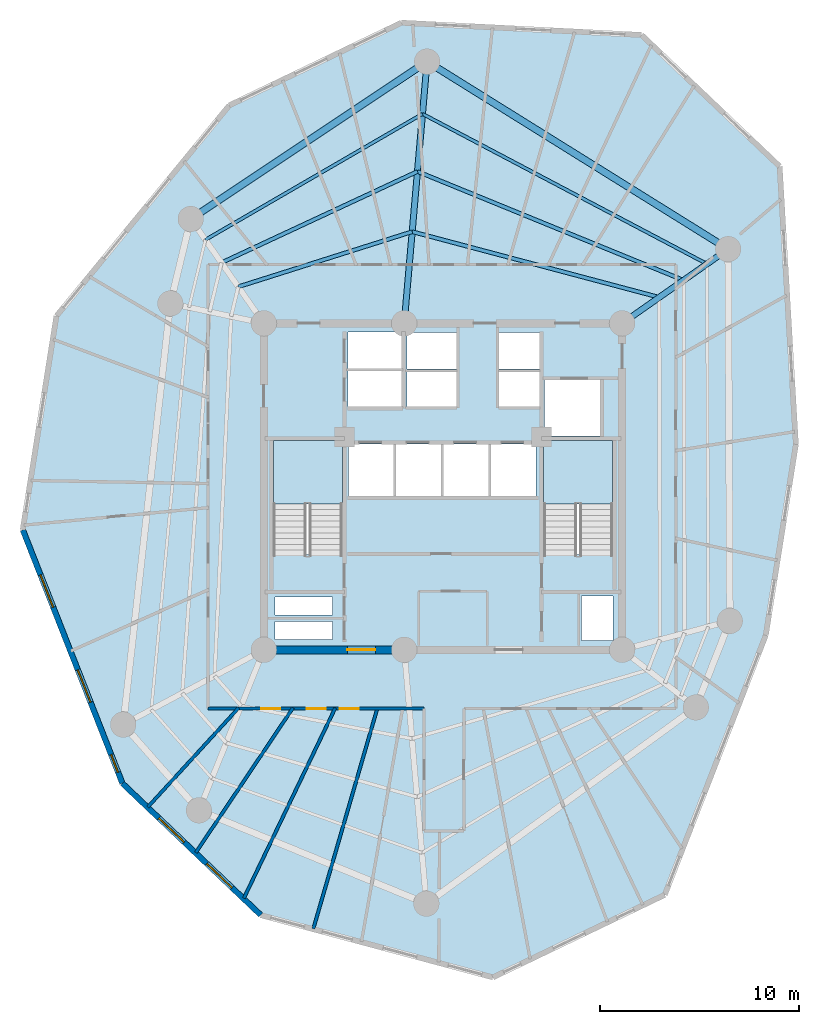
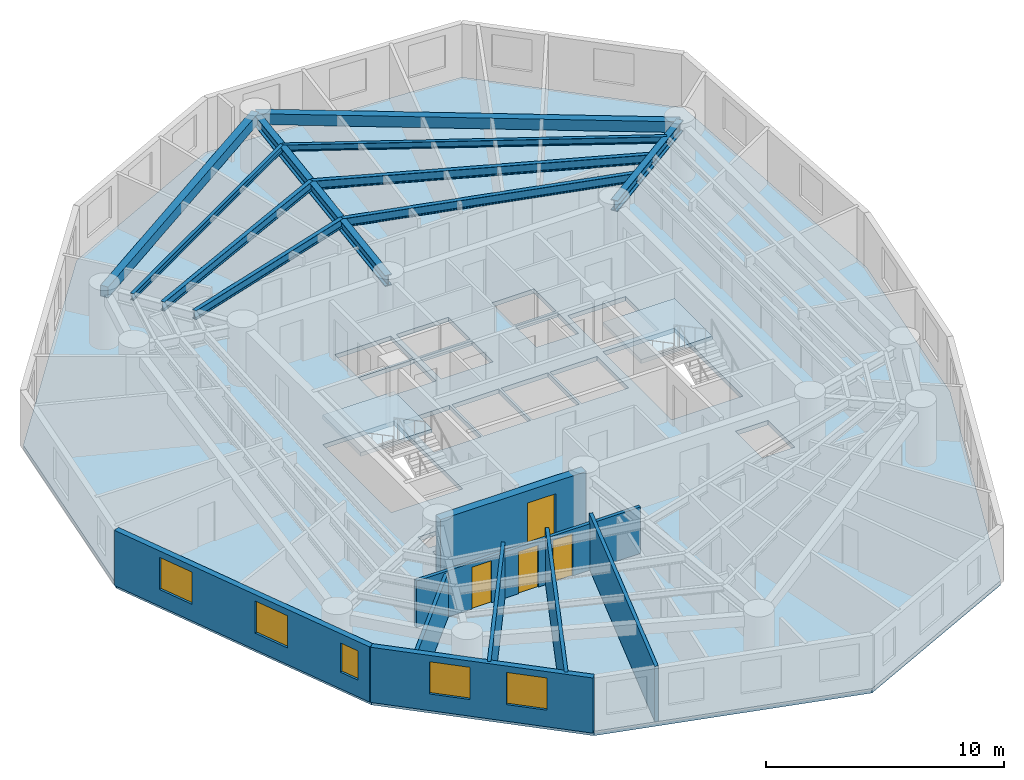
# One storey, part 2 of 8: 10 beams, 8 walls, 5 windows, 4 doors, 3 slabs, 9 openings, 2 elements without a shape of their own.
"""IFC4 building model written with IfcOpenShell, lengths in metres."""

from ifc_helpers import new_model, si_unit, direction, frame, frame_2d, origin, origin_with_axes, origin_2d, place, context, subcontext, project, spatial, polyline, rectangle, i_section, outline, extrude, source, transform, mapped, material, layer, layer_set, material_profile, profile_set, type_object, element, fill, aggregate, save


model = new_model("IFC4")

# Units and contexts
model_context = context("Model", 3, precision=1e-05, world=origin(), true_north=direction((0.0, 1.0)))
body_context = subcontext(model_context, "Body", "Model", "MODEL_VIEW")
ifc_project = project(units=[si_unit("LENGTHUNIT", "METRE"), si_unit("AREAUNIT", "SQUARE_METRE"), si_unit("VOLUMEUNIT", "CUBIC_METRE"), si_unit("PLANEANGLEUNIT", "RADIAN"), si_unit("MASSUNIT", "GRAM", prefix="KILO")], contexts=[model_context])

# Site, building, storey
site_placement = place(None, origin())
site = spatial("IfcSite", under=ifc_project, at=site_placement, CompositionType="ELEMENT")
building_placement = place(site_placement, origin())
building = spatial("IfcBuilding", under=site, at=building_placement, Name="Karkom Vertical University and Central Library", CompositionType="ELEMENT")
storey_placement = place(building_placement, frame((0.0, 0.0, 165.699951171875)))
storey = spatial("IfcBuildingStorey", under=building, at=storey_placement, Name="L47", CompositionType="ELEMENT", Elevation=165.699951171875)

# Beams
ifc_material_1 = material(Name="Precast concrete C45/55", Category="concrete")
ifc_material_profile_1 = material_profile(ifc_material_1, rectangle(XDim=0.35009765625, YDim=0.550048828125, at=origin_2d()), Name="SPB-350x550")
ifc_profile_set_1 = profile_set([ifc_material_profile_1], Name="Precast concrete C45/55")
beam_type_1 = type_object("IfcBeamType", Name="STR-BM-SP-2", PredefinedType="SPANDREL", material=ifc_profile_set_1)
shared_shape_1 = source(origin_with_axes(), body_context, "Body", "SweptSolid", [
    extrude(rectangle(XDim=0.35009765625, YDim=0.550048828125, at=origin_2d()), origin(), (0.0, 0.0, 1.0), 17.81884765625),
])
beam_1_placement = place(storey_placement, frame((42.823974609375, 38.427978515625, 2.550048828125), z_axis=(-0.848764070164, 0.528771740167, 0.0), x_axis=(-0.528771740167, -0.848764070164, 0.0)))
element("IfcBeam", 1, at=beam_1_placement, inside=storey, type_object=beam_type_1, Name="Level 47 Perimeter Spandrel Beam 02", PredefinedType="SPANDREL", context=body_context, shape_type="MappedRepresentation", body=[
    mapped(shared_shape_1, transform((0.0, 0.0, 0.0), scale=1.0)),
])
shared_shape_2 = source(origin_with_axes(), body_context, "Body", "SweptSolid", [
    extrude(rectangle(XDim=0.35009765625, YDim=0.550048828125, at=origin_2d()), origin(), (0.0, 0.0, 1.0), 14.26318359375),
])
beam_2_placement = place(storey_placement, frame((27.699951171875, 47.85009765625, 2.550048828125), z_axis=(-0.83227406272, -0.554364396876, 0.0), x_axis=(0.554364396876, -0.83227406272, 0.0)))
element("IfcBeam", 2, at=beam_2_placement, inside=storey, type_object=beam_type_1, Name="Level 47 Perimeter Spandrel Beam 03", PredefinedType="SPANDREL", context=body_context, shape_type="MappedRepresentation", body=[
    mapped(shared_shape_2, transform((0.0, 0.0, 0.0), scale=1.0)),
])
ifc_material_2 = material(Name="Steel S355", Category="steel")
ifc_material_profile_2 = material_profile(ifc_material_2, i_section(OverallWidth=0.18994140625, OverallDepth=0.449951171875, WebThickness=0.009521484375, FlangeThickness=0.0146484375, FilletRadius=0.02099609375, at=origin_2d()), Name="IPE 450")
ifc_profile_set_2 = profile_set([ifc_material_profile_2], Name="Steel S355")
beam_type_2 = type_object("IfcBeamType", Name="STR-BM-SB-IPE450", PredefinedType="BEAM", material=ifc_profile_set_2)
shared_shape_3 = source(origin_with_axes(), body_context, "Body", "SweptSolid", [
    extrude(i_section(OverallWidth=0.18994140625, OverallDepth=0.449951171875, WebThickness=0.009521484375, FlangeThickness=0.0146484375, FilletRadius=0.02099609375, at=origin_2d()), origin(), (0.0, 0.0, 1.0), 12.841552734375),
])
beam_3_placement = place(storey_placement, frame((39.36328125, 36.0048828125, 2.60009765625), z_axis=(-0.96646647674, 0.256792814032, 0.0), x_axis=(-0.256792814032, -0.96646647674, 0.0)))
element("IfcBeam", 3, at=beam_3_placement, inside=storey, type_object=beam_type_2, Name="Level 47 Secondary Composite Floor Beam 1.02", PredefinedType="BEAM", context=body_context, shape_type="MappedRepresentation", body=[
    mapped(shared_shape_3, transform((0.0, 0.0, 0.0), scale=1.0)),
])
shared_shape_4 = source(origin_with_axes(), body_context, "Body", "SweptSolid", [
    extrude(i_section(OverallWidth=0.18994140625, OverallDepth=0.449951171875, WebThickness=0.009521484375, FlangeThickness=0.0146484375, FilletRadius=0.02099609375, at=origin_2d()), origin(), (0.0, 0.0, 1.0), 9.1650390625),
])
beam_4_placement = place(storey_placement, frame((26.952392578125, 39.302490234375, 2.60009765625), z_axis=(-0.953318200449, -0.301967562319, 0.0), x_axis=(0.301967562319, -0.953318200449, 0.0)))
element("IfcBeam", 4, at=beam_4_placement, inside=storey, type_object=beam_type_2, Name="Level 47 Secondary Composite Floor Beam 1.03", PredefinedType="BEAM", context=body_context, shape_type="MappedRepresentation", body=[
    mapped(shared_shape_4, transform((0.0, 0.0, 0.0), scale=1.0)),
])
shared_shape_5 = source(origin_with_axes(), body_context, "Body", "SweptSolid", [
    extrude(i_section(OverallWidth=0.18994140625, OverallDepth=0.449951171875, WebThickness=0.009521484375, FlangeThickness=0.0146484375, FilletRadius=0.02099609375, at=origin_2d()), origin(), (0.0, 0.0, 1.0), 14.4443359375),
])
beam_5_placement = place(storey_placement, frame((40.587890625, 36.8623046875, 2.60009765625), z_axis=(-0.925675328736, 0.378318894281, 0.0), x_axis=(-0.378318894281, -0.925675328736, 0.0)))
element("IfcBeam", 5, at=beam_5_placement, inside=storey, type_object=beam_type_2, Name="Level 47 Secondary Composite Floor Beam 2.02", PredefinedType="BEAM", context=body_context, shape_type="MappedRepresentation", body=[
    mapped(shared_shape_5, transform((0.0, 0.0, 0.0), scale=1.0)),
])
shared_shape_6 = source(origin_with_axes(), body_context, "Body", "SweptSolid", [
    extrude(i_section(OverallWidth=0.18994140625, OverallDepth=0.449951171875, WebThickness=0.009521484375, FlangeThickness=0.0146484375, FilletRadius=0.02099609375, at=origin_2d()), origin(), (0.0, 0.0, 1.0), 10.86181640625),
])
beam_6_placement = place(storey_placement, frame((27.217041015625, 42.326904296875, 2.60009765625), z_axis=(-0.90649871419, -0.422208575436, 0.0), x_axis=(0.422208575436, -0.90649871419, 0.0)))
element("IfcBeam", 6, at=beam_6_placement, inside=storey, type_object=beam_type_2, Name="Level 47 Secondary Composite Floor Beam 2.03", PredefinedType="BEAM", context=body_context, shape_type="MappedRepresentation", body=[
    mapped(shared_shape_6, transform((0.0, 0.0, 0.0), scale=1.0)),
])
ifc_material_profile_3 = material_profile(ifc_material_2, i_section(OverallWidth=0.159912109375, OverallDepth=0.330078125, WebThickness=0.007568359375, FlangeThickness=0.011474609375, FilletRadius=0.01806640625, at=origin_2d()), Name="IPE 330")
ifc_profile_set_3 = profile_set([ifc_material_profile_3], Name="Steel S355")
beam_type_3 = type_object("IfcBeamType", Name="STR-BM-SB-IPE330", PredefinedType="BEAM", material=ifc_profile_set_3)
shared_shape_7 = source(origin_with_axes(), body_context, "Body", "SweptSolid", [
    extrude(i_section(OverallWidth=0.159912109375, OverallDepth=0.330078125, WebThickness=0.007568359375, FlangeThickness=0.011474609375, FilletRadius=0.01806640625, at=origin_2d()), origin(), (0.0, 0.0, 1.0), 16.155517578125),
])
beam_7_placement = place(storey_placement, frame((41.75927734375, 37.682373046875, 2.66015625), z_axis=(-0.884486447848, 0.466565883423, 0.0), x_axis=(-0.466565883423, -0.884486447848, 0.0)))
element("IfcBeam", 7, at=beam_7_placement, inside=storey, type_object=beam_type_3, Name="Level 47 Secondary Composite Floor Beam 3.02", PredefinedType="BEAM", context=body_context, shape_type="MappedRepresentation", body=[
    mapped(shared_shape_7, transform((0.0, 0.0, 0.0), scale=1.0)),
])
shared_shape_8 = source(origin_with_axes(), body_context, "Body", "SweptSolid", [
    extrude(i_section(OverallWidth=0.159912109375, OverallDepth=0.330078125, WebThickness=0.007568359375, FlangeThickness=0.011474609375, FilletRadius=0.01806640625, at=origin_2d()), origin(), (0.0, 0.0, 1.0), 12.6083984375),
])
beam_8_placement = place(storey_placement, frame((27.469970703125, 45.219970703125, 2.66015625), z_axis=(-0.865038920595, -0.50170475965, 0.0), x_axis=(0.50170475965, -0.865038920595, 0.0)))
element("IfcBeam", 8, at=beam_8_placement, inside=storey, type_object=beam_type_3, Name="Level 47 Secondary Composite Floor Beam 3.03", PredefinedType="BEAM", context=body_context, shape_type="MappedRepresentation", body=[
    mapped(shared_shape_8, transform((0.0, 0.0, 0.0), scale=1.0)),
])
ifc_material_profile_4 = material_profile(ifc_material_2, i_section(OverallWidth=0.300048828125, OverallDepth=0.550048828125, WebThickness=0.014892578125, FlangeThickness=0.029052734375, FilletRadius=0.027099609375, at=origin_2d()), Name="HE 550 B")
ifc_profile_set_4 = profile_set([ifc_material_profile_4], Name="Steel S355")
beam_type_4 = type_object("IfcBeamType", Name="STR-BM-SB-HE550", PredefinedType="USERDEFINED", material=ifc_profile_set_4)
shared_shape_9 = source(origin_with_axes(), body_context, "Body", "SweptSolid", [
    extrude(i_section(OverallWidth=0.300048828125, OverallDepth=0.550048828125, WebThickness=0.014892578125, FlangeThickness=0.029052734375, FilletRadius=0.027099609375, at=origin_2d()), origin(), (0.0, 0.0, 1.0), 6.49951171875),
])
beam_9_placement = place(storey_placement, frame((37.5, 34.699951171875, 2.550048828125), z_axis=(0.819141909878, 0.573590909517, 0.0), x_axis=(-0.573590909517, 0.819141909878, 0.0)))
element("IfcBeam", 9, at=beam_9_placement, inside=storey, type_object=beam_type_4, Name="Level 47 Radial Frame Girder 02", ObjectType="GIRDER", PredefinedType="USERDEFINED", context=body_context, shape_type="MappedRepresentation", body=[
    mapped(shared_shape_9, transform((0.0, 0.0, 0.0), scale=1.0)),
])
shared_shape_10 = source(origin_with_axes(), body_context, "Body", "SweptSolid", [
    extrude(i_section(OverallWidth=0.300048828125, OverallDepth=0.550048828125, WebThickness=0.014892578125, FlangeThickness=0.029052734375, FilletRadius=0.027099609375, at=origin_2d()), origin(), (0.0, 0.0, 1.0), 13.200439453125),
])
beam_10_placement = place(storey_placement, frame((26.550048828125, 34.699951171875, 2.550048828125), z_axis=(0.087111657164, 0.996198554098, 0.0), x_axis=(-0.996198554098, 0.087111657164, 0.0)))
element("IfcBeam", 10, at=beam_10_placement, inside=storey, type_object=beam_type_4, Name="Level 47 Radial Frame Girder 03", ObjectType="GIRDER", PredefinedType="USERDEFINED", context=body_context, shape_type="MappedRepresentation", body=[
    mapped(shared_shape_10, transform((0.0, 0.0, 0.0), scale=1.0)),
])

# Stair, slab
ifc_material_3 = material(Name="Concrete C45/55", Category="concrete")
stair_type = type_object("IfcStairType", Name="INT-STR-ST-MAIN", PredefinedType="HALF_TURN_STAIR", material=ifc_material_3)
stair_1_placement = place(storey_placement, origin())
stair_1 = element("IfcStair", 11, at=stair_1_placement, inside=storey, type_object=stair_type, Name="Level 47 Tower Protected Exit Stair ST-1", PredefinedType="HALF_TURN_STAIR")
ifc_layer_1 = layer(ifc_material_3, 0.199951171875)
ifc_layer_set_1 = layer_set([ifc_layer_1], Name="Concrete C45/55")
slab_type_1 = type_object("IfcSlabType", Name="INT-SLB-LANDING", PredefinedType="LANDING", material=ifc_layer_set_1)
slab_1_placement = place(storey_placement, frame((0.0, 0.0, 1.324951171875)))
slab_1 = element("IfcSlab", 12, at=slab_1_placement, type_object=slab_type_1, Name="ST-1 landing 1", PredefinedType="LANDING", context=body_context, shape_type="SweptSolid", body=[
    extrude(outline(polyline([(23.43994140625, 25.6298828125), (23.43994140625, 28.820068359375), (19.97998046875, 28.820068359375), (19.97998046875, 25.6298828125), (23.43994140625, 25.6298828125)])), origin(), (0.0, 0.0, 1.0), 0.2001953125),
])
aggregate(stair_1, [slab_1])

stair_2_placement = place(storey_placement, origin())
stair_2 = element("IfcStair", 13, at=stair_2_placement, inside=storey, type_object=stair_type, Name="Level 47 Tower Protected Exit Stair ST-2", PredefinedType="HALF_TURN_STAIR")
slab_2_placement = place(storey_placement, frame((0.0, 0.0, 1.324951171875)))
slab_2 = element("IfcSlab", 14, at=slab_2_placement, type_object=slab_type_1, Name="ST-2 landing 1", PredefinedType="LANDING", context=body_context, shape_type="SweptSolid", body=[
    extrude(outline(polyline([(37.02001953125, 25.6298828125), (37.02001953125, 28.820068359375), (33.56005859375, 28.820068359375), (33.56005859375, 25.6298828125), (37.02001953125, 25.6298828125)])), origin(), (0.0, 0.0, 1.0), 0.2001953125),
])
aggregate(stair_2, [slab_2])

# Slab
ifc_layer_2 = layer(ifc_material_3, 0.22509765625)
ifc_layer_set_2 = layer_set([ifc_layer_2], Name="Concrete C45/55")
slab_type_2 = type_object("IfcSlabType", Name="STR-SLB-FLR-225", PredefinedType="FLOOR", material=ifc_layer_set_2)
slab_3_placement = place(storey_placement, frame((0.0, 0.0, -0.224853515625)))
element("IfcSlab", 15, at=slab_3_placement, inside=storey, type_object=slab_type_2, Name="Level 47 Tower Structural Floor Slab", PredefinedType="FLOOR", context=body_context, shape_type="SweptSolid", body=[
    extrude(outline(polyline([(9.08447265625, 35.0654296875), (7.390625, 24.323974609375), (12.39501953125, 11.588623046875), (19.343505859375, 4.976806640625), (31.009521484375, 1.85009765625), (39.636962890625, 5.994140625), (44.7099609375, 19.02978515625), (46.22216796875, 28.6201171875), (45.406005859375, 42.58447265625), (38.472412109375, 49.181884765625), (26.41015625, 49.79638671875), (17.764404296875, 45.643310546875), (9.08447265625, 35.0654296875)]), holes=[polyline([(19.97998046875, 23.0849609375), (23.43994140625, 23.0849609375), (23.43994140625, 28.820068359375), (19.97998046875, 28.820068359375), (19.97998046875, 23.0849609375)]), polyline([(33.56005859375, 23.0849609375), (37.02001953125, 23.0849609375), (37.02001953125, 28.820068359375), (33.56005859375, 28.820068359375), (33.56005859375, 23.0849609375)]), polyline([(23.75, 26.0), (26.030029296875, 26.0), (26.030029296875, 28.64990234375), (23.75, 28.64990234375), (23.75, 26.0)]), polyline([(26.1298828125, 26.0), (28.409912109375, 26.0), (28.409912109375, 28.64990234375), (26.1298828125, 28.64990234375), (26.1298828125, 26.0)]), polyline([(28.510009765625, 26.0), (30.7900390625, 26.0), (30.7900390625, 28.64990234375), (28.510009765625, 28.64990234375), (28.510009765625, 26.0)]), polyline([(30.889892578125, 26.0), (33.169921875, 26.0), (33.169921875, 28.64990234375), (30.889892578125, 28.64990234375), (30.889892578125, 26.0)]), polyline([(26.679931640625, 30.5), (29.199951171875, 30.5), (29.199951171875, 32.25), (26.679931640625, 32.25), (26.679931640625, 30.5)]), polyline([(26.679931640625, 32.39990234375), (29.199951171875, 32.39990234375), (29.199951171875, 34.25), (26.679931640625, 34.25), (26.679931640625, 32.39990234375)]), polyline([(31.300048828125, 30.5), (33.35009765625, 30.5), (33.35009765625, 32.25), (31.300048828125, 32.25), (31.300048828125, 30.5)]), polyline([(31.300048828125, 32.39990234375), (33.35009765625, 32.39990234375), (33.35009765625, 34.25), (31.300048828125, 34.25), (31.300048828125, 32.39990234375)]), polyline([(23.719970703125, 30.47998046875), (26.429931640625, 30.47998046875), (26.429931640625, 32.320068359375), (23.719970703125, 32.320068359375), (23.719970703125, 30.47998046875)]), polyline([(23.719970703125, 32.419921875), (26.429931640625, 32.419921875), (26.429931640625, 34.260009765625), (23.719970703125, 34.260009765625), (23.719970703125, 32.419921875)]), polyline([(33.60009765625, 29.050048828125), (36.39990234375, 29.050048828125), (36.39990234375, 31.85009765625), (33.60009765625, 31.85009765625), (33.60009765625, 29.050048828125)]), polyline([(20.050048828125, 18.820068359375), (22.949951171875, 18.820068359375), (22.949951171875, 19.719970703125), (20.050048828125, 19.719970703125), (20.050048828125, 18.820068359375)]), polyline([(20.050048828125, 20.06005859375), (22.949951171875, 20.06005859375), (22.949951171875, 20.9599609375), (20.050048828125, 20.9599609375), (20.050048828125, 20.06005859375)]), polyline([(35.4599609375, 18.760009765625), (37.0400390625, 18.760009765625), (37.0400390625, 21.010009765625), (35.4599609375, 21.010009765625), (35.4599609375, 18.760009765625)])]), origin(), (0.0, 0.0, 1.0), 0.224853515625),
])

# Wall, openings, windows
ifc_material_4 = material(Name="Brick-faced precast concrete C45/55", Category="masonry")
ifc_layer_3 = layer(ifc_material_4, 0.280029296875)
ifc_layer_set_3 = layer_set([ifc_layer_3], Name="Brick-faced precast concrete C45/55")
wall_type_1 = type_object("IfcWallType", Name="ENV-WL-BRK-280", PredefinedType="SOLIDWALL", material=ifc_layer_set_3)
wall_1_placement = place(storey_placement, frame((7.390625, 24.323974609375, 0.0), z_axis=(0.0, 0.0, 1.0), x_axis=(0.365729654554, -0.930721128899, 0.0)))
wall_1 = element("IfcWall", 16, at=wall_1_placement, inside=storey, type_object=wall_type_1, Name="Level 47 Brick-Faced Precast Facade Wall 02", PredefinedType="SOLIDWALL", context=body_context, shape_type="SweptSolid", body=[
    extrude(rectangle(XDim=13.683349609375, YDim=0.280029296875, at=frame_2d((6.841796875, 0.0))), origin(), (0.0, 0.0, 1.0), 2.824951171875),
])
opening_1_placement = place(wall_1_placement, frame((2.426513671875, 0.0, 0.85009765625)))
opening_1 = element("IfcOpeningElement", 17, at=opening_1_placement, cuts=wall_1, Name="Opening WN-08", PredefinedType="OPENING", context=body_context, shape_type="SweptSolid", body=[
    extrude(rectangle(XDim=1.75, YDim=1.64990234375, at=frame_2d((0.875, 0.824951171875))), frame((0.0, 0.14990234375, 0.0), z_axis=(0.0, -1.0, 0.0), x_axis=(1.0, 0.0, 0.0)), (0.0, 0.0, 1.0), 0.300048828125),
])
opening_2_placement = place(wall_1_placement, frame((7.55029296875, 0.0, 0.85009765625)))
opening_2 = element("IfcOpeningElement", 18, at=opening_2_placement, cuts=wall_1, Name="Opening WN-08", PredefinedType="OPENING", context=body_context, shape_type="SweptSolid", body=[
    extrude(rectangle(XDim=1.75, YDim=1.64990234375, at=frame_2d((0.875, 0.824951171875))), frame((0.0, 0.14990234375, 0.0), z_axis=(0.0, -1.0, 0.0), x_axis=(1.0, 0.0, 0.0)), (0.0, 0.0, 1.0), 0.300048828125),
])
opening_3_placement = place(wall_1_placement, frame((12.13037109375, 0.0, 0.85009765625)))
opening_3 = element("IfcOpeningElement", 19, at=opening_3_placement, cuts=wall_1, Name="Opening WN-12", PredefinedType="OPENING", context=body_context, shape_type="SweptSolid", body=[
    extrude(rectangle(XDim=0.949951171875, YDim=1.5, at=frame_2d((0.47509765625, 0.75))), frame((0.0, 0.14990234375, 0.0), z_axis=(0.0, -1.0, 0.0), x_axis=(1.0, 0.0, 0.0)), (0.0, 0.0, 1.0), 0.300048828125),
])
ifc_material_5 = material(Name="Aluminium thermal-break frame with solar-control IGU", Category="aluminium")
window_type_1 = type_object("IfcWindowType", Name="ENV-WIN-WN-12", PartitioningType="SINGLE_PANEL", PredefinedType="WINDOW", material=ifc_material_5)
shared_shape_11 = source(origin_with_axes(), body_context, "Body", "SweptSolid", [
    extrude(rectangle(XDim=0.949951171875, YDim=1.5, at=frame_2d((0.47509765625, 0.75))), frame((0.0, 0.030029296875, 0.0), z_axis=(0.0, -1.0, 0.0), x_axis=(1.0, 0.0, 0.0)), (0.0, 0.0, 1.0), 0.06005859375),
])
window_1_placement = place(opening_3_placement, origin())
window_1 = element("IfcWindow", 20, at=window_1_placement, inside=storey, type_object=window_type_1, Name="Level 47 Punched Window 2.3", OverallHeight=1.5, OverallWidth=0.949951171875, PartitioningType="SINGLE_PANEL", PredefinedType="WINDOW", context=body_context, shape_type="MappedRepresentation", body=[
    mapped(shared_shape_11, transform((0.0, 0.0, 0.0), scale=1.0)),
])
fill(opening_3, window_1)
window_type_2 = type_object("IfcWindowType", Name="ENV-WIN-WN-08", PartitioningType="SINGLE_PANEL", PredefinedType="WINDOW", material=ifc_material_5)
shared_shape_12 = source(origin_with_axes(), body_context, "Body", "SweptSolid", [
    extrude(rectangle(XDim=1.75, YDim=1.64990234375, at=frame_2d((0.875, 0.824951171875))), frame((0.0, 0.030029296875, 0.0), z_axis=(0.0, -1.0, 0.0), x_axis=(1.0, 0.0, 0.0)), (0.0, 0.0, 1.0), 0.06005859375),
])
window_2_placement = place(opening_1_placement, origin())
window_2 = element("IfcWindow", 21, at=window_2_placement, inside=storey, type_object=window_type_2, Name="Level 47 Punched Window 2.1", OverallHeight=1.64990234375, OverallWidth=1.75, PartitioningType="SINGLE_PANEL", PredefinedType="WINDOW", context=body_context, shape_type="MappedRepresentation", body=[
    mapped(shared_shape_12, transform((0.0, 0.0, 0.0), scale=1.0)),
])
fill(opening_1, window_2)
window_3_placement = place(opening_2_placement, origin())
window_3 = element("IfcWindow", 22, at=window_3_placement, inside=storey, type_object=window_type_2, Name="Level 47 Punched Window 2.2", OverallHeight=1.64990234375, OverallWidth=1.75, PartitioningType="SINGLE_PANEL", PredefinedType="WINDOW", context=body_context, shape_type="MappedRepresentation", body=[
    mapped(shared_shape_12, transform((0.0, 0.0, 0.0), scale=1.0)),
])
fill(opening_2, window_3)

wall_2_placement = place(storey_placement, frame((12.39501953125, 11.588623046875, 0.0), z_axis=(0.0, 0.0, 1.0), x_axis=(0.724439311795, -0.689338584098, 0.0)))
wall_2 = element("IfcWall", 23, at=wall_2_placement, inside=storey, type_object=wall_type_1, Name="Level 47 Brick-Faced Precast Facade Wall 03", PredefinedType="SOLIDWALL", context=body_context, shape_type="SweptSolid", body=[
    extrude(rectangle(XDim=9.591552734375, YDim=0.280029296875, at=frame_2d((4.7958984375, 0.0))), origin(), (0.0, 0.0, 1.0), 2.824951171875),
])
opening_4_placement = place(wall_2_placement, frame((2.527099609375, 0.0, 0.85009765625)))
opening_4 = element("IfcOpeningElement", 24, at=opening_4_placement, cuts=wall_2, Name="Opening WN-08", PredefinedType="OPENING", context=body_context, shape_type="SweptSolid", body=[
    extrude(rectangle(XDim=1.75, YDim=1.64990234375, at=frame_2d((0.875, 0.824951171875))), frame((0.0, 0.14990234375, 0.0), z_axis=(0.0, -1.0, 0.0), x_axis=(1.0, 0.0, 0.0)), (0.0, 0.0, 1.0), 0.300048828125),
])
opening_5_placement = place(wall_2_placement, frame((5.847900390625, 0.0, 0.85009765625)))
opening_5 = element("IfcOpeningElement", 25, at=opening_5_placement, cuts=wall_2, Name="Opening WN-08", PredefinedType="OPENING", context=body_context, shape_type="SweptSolid", body=[
    extrude(rectangle(XDim=1.75, YDim=1.64990234375, at=frame_2d((0.875, 0.824951171875))), frame((0.0, 0.14990234375, 0.0), z_axis=(0.0, -1.0, 0.0), x_axis=(1.0, 0.0, 0.0)), (0.0, 0.0, 1.0), 0.300048828125),
])
window_4_placement = place(opening_4_placement, origin())
window_4 = element("IfcWindow", 26, at=window_4_placement, inside=storey, type_object=window_type_2, Name="Level 47 Punched Window 3.1", OverallHeight=1.64990234375, OverallWidth=1.75, PartitioningType="SINGLE_PANEL", PredefinedType="WINDOW", context=body_context, shape_type="MappedRepresentation", body=[
    mapped(shared_shape_12, transform((0.0, 0.0, 0.0), scale=1.0)),
])
fill(opening_4, window_4)
window_5_placement = place(opening_5_placement, origin())
window_5 = element("IfcWindow", 27, at=window_5_placement, inside=storey, type_object=window_type_2, Name="Level 47 Punched Window 3.2", OverallHeight=1.64990234375, OverallWidth=1.75, PartitioningType="SINGLE_PANEL", PredefinedType="WINDOW", context=body_context, shape_type="MappedRepresentation", body=[
    mapped(shared_shape_12, transform((0.0, 0.0, 0.0), scale=1.0)),
])
fill(opening_5, window_5)

# Wall
ifc_material_6 = material(Name="Insulated metal-stud drywall 160mm", Category="gypsum")
ifc_layer_4 = layer(ifc_material_6, 0.159912109375)
ifc_layer_set_4 = layer_set([ifc_layer_4], Name="Insulated metal-stud drywall 160mm")
wall_type_2 = type_object("IfcWallType", Name="INT-WL-COR-160", PredefinedType="PARTITIONING", material=ifc_layer_set_4)
wall_3_placement = place(storey_placement, frame((25.207763671875, 15.37890625, 0.0), z_axis=(0.0, 0.0, 1.0), x_axis=(-0.278911500502, -0.960316809645, 0.0)))
element("IfcWall", 28, at=wall_3_placement, inside=storey, type_object=wall_type_2, Name="Level 47 Interior Partition Wall L47-PW-007", PredefinedType="PARTITIONING", context=body_context, shape_type="SweptSolid", body=[
    extrude(rectangle(XDim=11.54296875, YDim=0.159912109375, at=frame_2d((5.771484375, 0.0))), origin(), (0.0, 0.0, 1.0), 2.824951171875),
])

# Wall, openings, doors
wall_4_placement = place(storey_placement, frame((27.550048828125, 15.35009765625, 0.0), z_axis=(0.0, 0.0, 1.0), x_axis=(-1.0, 0.0, 0.0)))
wall_4 = element("IfcWall", 29, at=wall_4_placement, inside=storey, type_object=wall_type_2, Name="Level 47 Interior Partition Wall L47-CORW-CW-001", PredefinedType="PARTITIONING", context=body_context, shape_type="SweptSolid", body=[
    extrude(rectangle(XDim=10.85009765625, YDim=0.159912109375, at=frame_2d((5.425048828125, 0.0))), origin(), (0.0, 0.0, 1.0), 2.375),
])
opening_6_placement = place(wall_4_placement, frame((7.217529296875, 0.0, 0.0)))
opening_6 = element("IfcOpeningElement", 30, at=opening_6_placement, cuts=wall_4, Name="Opening D-RM1", PredefinedType="OPENING", context=body_context, shape_type="SweptSolid", body=[
    extrude(rectangle(XDim=0.949951171875, YDim=2.14990234375, at=frame_2d((0.47509765625, 1.074951171875))), frame((0.0, 0.08984375, 0.0), z_axis=(0.0, -1.0, 0.0), x_axis=(1.0, 0.0, 0.0)), (0.0, 0.0, 1.0), 0.179931640625),
])
opening_7_placement = place(wall_4_placement, frame((4.949951171875, 0.0, 0.0)))
opening_7 = element("IfcOpeningElement", 31, at=opening_7_placement, cuts=wall_4, Name="Opening D-RM1", PredefinedType="OPENING", context=body_context, shape_type="SweptSolid", body=[
    extrude(rectangle(XDim=0.949951171875, YDim=2.14990234375, at=frame_2d((0.47509765625, 1.074951171875))), frame((0.0, 0.08984375, 0.0), z_axis=(0.0, -1.0, 0.0), x_axis=(1.0, 0.0, 0.0)), (0.0, 0.0, 1.0), 0.179931640625),
])
opening_8_placement = place(wall_4_placement, frame((3.282470703125, 0.0, 0.0)))
opening_8 = element("IfcOpeningElement", 32, at=opening_8_placement, cuts=wall_4, Name="Opening D-RM1", PredefinedType="OPENING", context=body_context, shape_type="SweptSolid", body=[
    extrude(rectangle(XDim=0.949951171875, YDim=2.14990234375, at=frame_2d((0.47509765625, 1.074951171875))), frame((0.0, 0.08984375, 0.0), z_axis=(0.0, -1.0, 0.0), x_axis=(1.0, 0.0, 0.0)), (0.0, 0.0, 1.0), 0.179931640625),
])
ifc_material_7 = material(Name="Solid-core oak veneer door", Category="wood")
door_type_1 = type_object("IfcDoorType", Name="INT-DR-RM1", OperationType="NOTDEFINED", PredefinedType="DOOR", material=ifc_material_7)
shared_shape_13 = source(origin_with_axes(), body_context, "Body", "SweptSolid", [
    extrude(rectangle(XDim=0.949951171875, YDim=2.14990234375, at=frame_2d((0.47509765625, 1.074951171875))), frame((0.0, 0.02490234375, 0.0), z_axis=(0.0, -1.0, 0.0), x_axis=(1.0, 0.0, 0.0)), (0.0, 0.0, 1.0), 0.050048828125),
])
door_1_placement = place(opening_6_placement, origin())
door_1 = element("IfcDoor", 33, at=door_1_placement, inside=storey, type_object=door_type_1, Name="Level 47 Room Entry Door 030", OperationType="SINGLE_SWING_LEFT", OverallHeight=2.14990234375, OverallWidth=0.949951171875, PredefinedType="DOOR", context=body_context, shape_type="MappedRepresentation", body=[
    mapped(shared_shape_13, transform((0.0, 0.0, 0.0), scale=1.0)),
])
fill(opening_6, door_1)
door_2_placement = place(opening_7_placement, origin())
door_2 = element("IfcDoor", 34, at=door_2_placement, inside=storey, type_object=door_type_1, Name="Level 47 Room Entry Door 040", OperationType="SINGLE_SWING_RIGHT", OverallHeight=2.14990234375, OverallWidth=0.949951171875, PredefinedType="DOOR", context=body_context, shape_type="MappedRepresentation", body=[
    mapped(shared_shape_13, transform((0.0, 0.0, 0.0), scale=1.0)),
])
fill(opening_7, door_2)
door_3_placement = place(opening_8_placement, origin())
door_3 = element("IfcDoor", 35, at=door_3_placement, inside=storey, type_object=door_type_1, Name="Level 47 Room Entry Door 050", OperationType="SINGLE_SWING_LEFT", OverallHeight=2.14990234375, OverallWidth=0.949951171875, PredefinedType="DOOR", context=body_context, shape_type="MappedRepresentation", body=[
    mapped(shared_shape_13, transform((0.0, 0.0, 0.0), scale=1.0)),
])
fill(opening_8, door_3)

# Walls
wall_5_placement = place(storey_placement, frame((23.087890625, 15.376953125, 0.0), z_axis=(0.0, 0.0, 1.0), x_axis=(-0.433147297531, -0.901323148844, 0.0)))
element("IfcWall", 36, at=wall_5_placement, inside=storey, type_object=wall_type_2, Name="Level 47 Interior Partition Wall L47-PW-006", PredefinedType="PARTITIONING", context=body_context, shape_type="SweptSolid", body=[
    extrude(rectangle(XDim=10.60107421875, YDim=0.159912109375, at=frame_2d((5.300537109375, 0.0))), origin(), (0.0, 0.0, 1.0), 2.824951171875),
])
wall_6_placement = place(storey_placement, frame((20.966796875, 15.387451171875, 0.0), z_axis=(0.0, 0.0, 1.0), x_axis=(-0.557404825084, -0.830240845161, 0.0)))
element("IfcWall", 37, at=wall_6_placement, inside=storey, type_object=wall_type_2, Name="Level 47 Interior Partition Wall L47-PW-005", PredefinedType="PARTITIONING", context=body_context, shape_type="SweptSolid", body=[
    extrude(rectangle(XDim=8.76025390625, YDim=0.159912109375, at=frame_2d((4.380126953125, 0.0))), origin(), (0.0, 0.0, 1.0), 2.824951171875),
])
wall_7_placement = place(storey_placement, frame((18.235107421875, 15.38330078125, 0.0), z_axis=(0.0, 0.0, 1.0), x_axis=(-0.675454383357, -0.7374017738, 0.0)))
element("IfcWall", 38, at=wall_7_placement, inside=storey, type_object=wall_type_2, Name="Level 47 Interior Partition Wall L47-PW-004", PredefinedType="PARTITIONING", context=body_context, shape_type="SweptSolid", body=[
    extrude(rectangle(XDim=6.7509765625, YDim=0.159912109375, at=frame_2d((3.37548828125, 0.0))), origin(), (0.0, 0.0, 1.0), 2.275146484375),
])

# Wall, opening, door
ifc_material_8 = material(Name="Concrete C50/60", Category="concrete")
ifc_layer_5 = layer(ifc_material_8, 0.39990234375)
ifc_layer_set_5 = layer_set([ifc_layer_5], Name="Concrete C50/60")
wall_type_3 = type_object("IfcWallType", Name="STR-WL-CW-400", PredefinedType="SHEAR", material=ifc_layer_set_5)
wall_8_placement = place(storey_placement, frame((19.5, 18.300048828125, 0.0), z_axis=(0.0, 0.0, 1.0), x_axis=(1.0, 0.0, 0.0)))
wall_8 = element("IfcWall", 39, at=wall_8_placement, inside=storey, type_object=wall_type_3, Name="Level 47 Central Core Shear Wall SW1", PredefinedType="SHEAR", context=body_context, shape_type="SweptSolid", body=[
    extrude(rectangle(XDim=7.050048828125, YDim=0.39990234375, at=frame_2d((3.52490234375, 0.0))), origin(), (0.0, 0.0, 1.0), 2.824951171875),
])
opening_9_placement = place(wall_8_placement, frame((4.199951171875, 0.0, 0.0)))
opening_9 = element("IfcOpeningElement", 40, at=opening_9_placement, cuts=wall_8, Name="Opening FD-CLB", PredefinedType="OPENING", context=body_context, shape_type="SweptSolid", body=[
    extrude(rectangle(XDim=1.39990234375, YDim=2.199951171875, at=frame_2d((0.699951171875, 1.10009765625))), frame((0.0, 0.2099609375, 0.0), z_axis=(0.0, -1.0, 0.0), x_axis=(1.0, 0.0, 0.0)), (0.0, 0.0, 1.0), 0.419921875),
])
ifc_material_9 = material(Name="Painted steel fire door", Category="steel")
door_type_2 = type_object("IfcDoorType", Name="INT-DR-CLB", OperationType="DOUBLE_DOOR_SINGLE_SWING", PredefinedType="DOOR", material=ifc_material_9)
shared_shape_14 = source(origin_with_axes(), body_context, "Body", "SweptSolid", [
    extrude(rectangle(XDim=1.39990234375, YDim=2.199951171875, at=frame_2d((0.699951171875, 1.10009765625))), frame((0.0, 0.02490234375, 0.0), z_axis=(0.0, -1.0, 0.0), x_axis=(1.0, 0.0, 0.0)), (0.0, 0.0, 1.0), 0.050048828125),
])
door_4_placement = place(opening_9_placement, origin())
door_4 = element("IfcDoor", 41, at=door_4_placement, inside=storey, type_object=door_type_2, Name="Level 47 South Core Lobby West Exit Door", OperationType="DOUBLE_DOOR_SINGLE_SWING", OverallHeight=2.199951171875, OverallWidth=1.39990234375, PredefinedType="DOOR", context=body_context, shape_type="MappedRepresentation", body=[
    mapped(shared_shape_14, transform((0.0, 0.0, 0.0), scale=1.0)),
])
fill(opening_9, door_4)

save(model, "model.ifc")
